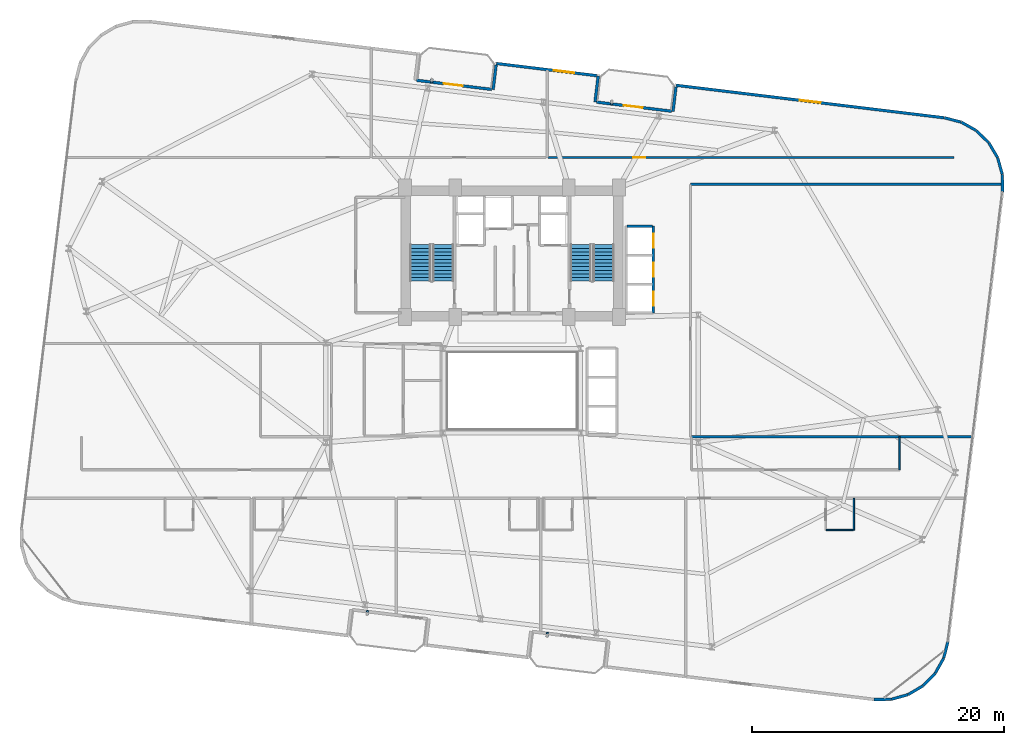
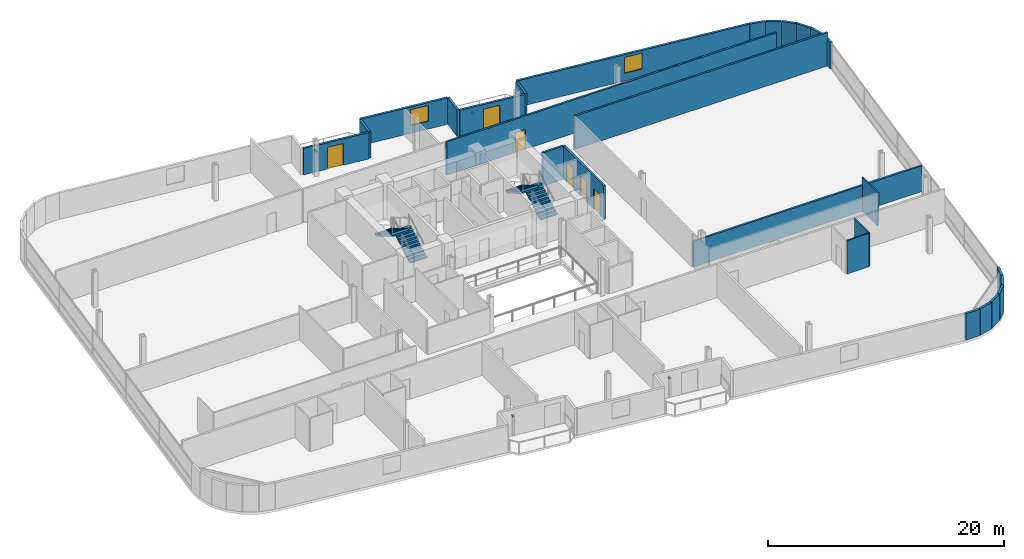
# One storey, part 23 of 25: 27 walls, 6 doors, 4 discrete accessories, 4 stair flights, 2 windows, 8 openings, 2 elements without a shape of their own.
"""IFC4 building model written with IfcOpenShell, lengths in metres."""

from ifc_helpers import new_model, si_unit, direction, frame, frame_2d, origin, origin_2d, place, context, subcontext, project, spatial, polyline, rectangle, outline, extrude, source, transform, mapped, material, layer, layer_set, type_object, element, fill, aggregate, save


model = new_model("IFC4")

# Units and contexts
model_context = context("Model", 3, precision=1e-05, world=origin(), true_north=direction((0.0, 1.0)))
body_context = subcontext(model_context, "Body", "Model", "MODEL_VIEW")
ifc_project = project(units=[si_unit("LENGTHUNIT", "METRE"), si_unit("AREAUNIT", "SQUARE_METRE"), si_unit("VOLUMEUNIT", "CUBIC_METRE"), si_unit("PLANEANGLEUNIT", "RADIAN"), si_unit("MASSUNIT", "GRAM", prefix="KILO")], contexts=[model_context])

# Site, building, storey
site_placement = place(None, origin())
site = spatial("IfcSite", under=ifc_project, at=site_placement, CompositionType="ELEMENT")
building_placement = place(site_placement, origin())
building = spatial("IfcBuilding", under=site, at=building_placement, Name="Varnelok Gate Tower", CompositionType="ELEMENT")
storey_placement = place(building_placement, frame((0.0, 0.0, 136.5)))
storey = spatial("IfcBuildingStorey", under=building, at=storey_placement, Name="L34", CompositionType="ELEMENT", Elevation=136.5)

# Wall, opening, door
ifc_material_1 = material(Name="Concrete C45/55", Category="concrete")
ifc_layer_1 = layer(ifc_material_1, 0.219970703125)
ifc_layer_set_1 = layer_set([ifc_layer_1], Name="Concrete C45/55")
wall_type_1 = type_object("IfcWallType", Name="EW-BALC-220", PredefinedType="SOLIDWALL", material=ifc_layer_set_1)
wall_1_placement = place(storey_placement, frame((31.624267578125, 47.5634765625, 0.0), z_axis=(0.0, 0.0, 1.0), x_axis=(0.992729951822, -0.120362962556, 0.0)))
wall_1 = element("IfcWall", 1, at=wall_1_placement, inside=storey, type_object=wall_type_1, Name="L34 North Terrace Envelope Wall 3", PredefinedType="SOLIDWALL", context=body_context, shape_type="SweptSolid", body=[
    extrude(rectangle(XDim=6.0, YDim=0.219970703125, at=frame_2d((3.0, 0.0))), origin(), (0.0, 0.0, 1.0), 2.72998046875),
])
opening_1_placement = place(wall_1_placement, frame((2.176025390625, 0.0, 0.0)))
opening_1 = element("IfcOpeningElement", 2, at=opening_1_placement, cuts=wall_1, Name="Opening BD-1", PredefinedType="OPENING", context=body_context, shape_type="SweptSolid", body=[
    extrude(rectangle(XDim=1.5, YDim=2.25, at=frame_2d((0.75, 1.125))), frame((0.0, 0.119873046875, 0.0), z_axis=(0.0, -1.0, 0.0), x_axis=(1.0, 0.0, 0.0)), (0.0, 0.0, 1.0), 0.239990234375),
])
ifc_material_2 = material(Name="Anodized Aluminum Alloy 6063-T6", Category="aluminium")
door_type_1 = type_object("IfcDoorType", Name="DR-EXT-BALC1500", OperationType="NOTDEFINED", PredefinedType="DOOR", material=ifc_material_2)
door_1_placement = place(opening_1_placement, origin())
door_1 = element("IfcDoor", 3, at=door_1_placement, inside=storey, type_object=door_type_1, Name="L34 North Balcony Glazed Door 3", OperationType="SINGLE_SWING_RIGHT", OverallHeight=2.25, OverallWidth=1.5, PredefinedType="DOOR", context=body_context, shape_type="SweptSolid", body=[
    extrude(rectangle(XDim=1.5, YDim=2.25, at=frame_2d((0.75, 1.125))), frame((0.0, 0.02490234375, 0.0), z_axis=(0.0, -1.0, 0.0), x_axis=(1.0, 0.0, 0.0)), (0.0, 0.0, 1.0), 0.050048828125),
])
fill(opening_1, door_1)

wall_2_placement = place(storey_placement, frame((45.919677734375, 45.83056640625, 0.0), z_axis=(0.0, 0.0, 1.0), x_axis=(0.992729951822, -0.120362962556, 0.0)))
wall_2 = element("IfcWall", 4, at=wall_2_placement, inside=storey, type_object=wall_type_1, Name="L34 North Terrace Envelope Wall 4", PredefinedType="SOLIDWALL", context=body_context, shape_type="SweptSolid", body=[
    extrude(rectangle(XDim=6.0, YDim=0.219970703125, at=frame_2d((3.0, 0.0))), origin(), (0.0, 0.0, 1.0), 2.72998046875),
])
opening_2_placement = place(wall_2_placement, frame((2.176025390625, 0.0, 0.0)))
opening_2 = element("IfcOpeningElement", 5, at=opening_2_placement, cuts=wall_2, Name="Opening BD-1", PredefinedType="OPENING", context=body_context, shape_type="SweptSolid", body=[
    extrude(rectangle(XDim=1.5, YDim=2.25, at=frame_2d((0.75, 1.125))), frame((0.0, 0.119873046875, 0.0), z_axis=(0.0, -1.0, 0.0), x_axis=(1.0, 0.0, 0.0)), (0.0, 0.0, 1.0), 0.239990234375),
])
door_2_placement = place(opening_2_placement, origin())
door_2 = element("IfcDoor", 6, at=door_2_placement, inside=storey, type_object=door_type_1, Name="L34 North Balcony Glazed Door 4", OperationType="SINGLE_SWING_LEFT", OverallHeight=2.25, OverallWidth=1.5, PredefinedType="DOOR", context=body_context, shape_type="SweptSolid", body=[
    extrude(rectangle(XDim=1.5, YDim=2.25, at=frame_2d((0.75, 1.125))), frame((0.0, 0.02490234375, 0.0), z_axis=(0.0, -1.0, 0.0), x_axis=(1.0, 0.0, 0.0)), (0.0, 0.0, 1.0), 0.050048828125),
])
fill(opening_2, door_2)

# Walls
wall_3_placement = place(storey_placement, frame((67.984375, -1.63671875, 0.0), z_axis=(0.0, 0.0, 1.0), x_axis=(0.999945887077, 0.010403024475, 0.0)))
element("IfcWall", 7, at=wall_3_placement, inside=storey, type_object=wall_type_1, Name="L34 Perimeter Facade Closure Wall 14", PredefinedType="SOLIDWALL", context=body_context, shape_type="SweptSolid", body=[
    extrude(rectangle(XDim=1.361083984375, YDim=0.219970703125, at=frame_2d((0.6806640625, 0.0))), origin(), (0.0, 0.0, 1.0), 2.72998046875),
])
wall_4_placement = place(storey_placement, frame((69.369384765625, -1.615966796875, 0.0), z_axis=(0.0, 0.0, 1.0), x_axis=(0.963194128812, 0.268806752562, 0.0)))
element("IfcWall", 8, at=wall_4_placement, inside=storey, type_object=wall_type_1, Name="L34 Perimeter Facade Closure Wall 15", PredefinedType="SOLIDWALL", context=body_context, shape_type="SweptSolid", body=[
    extrude(rectangle(XDim=1.353271484375, YDim=0.219970703125, at=frame_2d((0.6767578125, 0.0))), origin(), (0.0, 0.0, 1.0), 2.72998046875),
])
for number, where, z_axis, x_axis, name in (
    (9, (70.6943359375, -1.239501953125, 0.0), (0.0, 0.0, 1.0), (0.860865455241, 0.508832652228, 0.0), "L34 Perimeter Facade Closure Wall 16"),
    (10, (71.876708984375, -0.533203125, 0.0), (0.0, 0.0, 1.0), (0.69976104234, 0.714376989847, 0.0), "L34 Perimeter Facade Closure Wall 17"),
    (11, (72.835693359375, 0.455078125, 0.0), (0.0, 0.0, 1.0), (0.491117621399, 0.871093268227, 0.0), "L34 Perimeter Facade Closure Wall 18"),
):
    element("IfcWall", number, at=place(storey_placement, frame(where, z_axis=z_axis, x_axis=x_axis)), inside=storey, type_object=wall_type_1, Name=name, PredefinedType="SOLIDWALL", context=body_context, shape_type="SweptSolid", body=[
        extrude(rectangle(XDim=1.35302734375, YDim=0.219970703125, at=frame_2d((0.676513671875, 0.0))), origin(), (0.0, 0.0, 1.0), 2.72998046875),
    ])
wall_5_placement = place(storey_placement, frame((73.506591796875, 1.658203125, 0.0), z_axis=(0.0, 0.0, 1.0), x_axis=(0.248857256909, 0.968540172468, 0.0)))
element("IfcWall", 12, at=wall_5_placement, inside=storey, type_object=wall_type_1, Name="L34 Perimeter Facade Closure Wall 19", PredefinedType="SOLIDWALL", context=body_context, shape_type="SweptSolid", body=[
    extrude(rectangle(XDim=1.352783203125, YDim=0.219970703125, at=frame_2d((0.67626953125, 0.0))), origin(), (0.0, 0.0, 1.0), 2.72998046875),
])
wall_6_placement = place(storey_placement, frame((78.175537109375, 38.706787109375, 0.0), z_axis=(0.0, 0.0, 1.0), x_axis=(-0.010096916637, 0.999949024838, 0.0)))
element("IfcWall", 13, at=wall_6_placement, inside=storey, type_object=wall_type_1, Name="L34 Perimeter Facade Closure Wall 20", PredefinedType="SOLIDWALL", context=body_context, shape_type="SweptSolid", body=[
    extrude(rectangle(XDim=1.378173828125, YDim=0.219970703125, at=frame_2d((0.68896484375, 0.0))), origin(), (0.0, 0.0, 1.0), 2.72998046875),
])
wall_7_placement = place(storey_placement, frame((78.15478515625, 40.10888671875, 0.0), z_axis=(0.0, 0.0, 1.0), x_axis=(-0.268639368869, 0.963240826322, 0.0)))
element("IfcWall", 14, at=wall_7_placement, inside=storey, type_object=wall_type_1, Name="L34 Perimeter Facade Closure Wall 21", PredefinedType="SOLIDWALL", context=body_context, shape_type="SweptSolid", body=[
    extrude(rectangle(XDim=1.353271484375, YDim=0.219970703125, at=frame_2d((0.6767578125, 0.0))), origin(), (0.0, 0.0, 1.0), 2.72998046875),
])
for number, where, z_axis, x_axis, name in (
    (15, (77.7783203125, 41.433837890625, 0.0), (0.0, 0.0, 1.0), (-0.508698913794, 0.860944490142, 0.0), "L34 Perimeter Facade Closure Wall 22"),
    (16, (77.072265625, 42.6162109375, 0.0), (0.0, 0.0, 1.0), (-0.714376989847, 0.69976104234, 0.0), "L34 Perimeter Facade Closure Wall 23"),
    (17, (76.083740234375, 43.5751953125, 0.0), (0.0, 0.0, 1.0), (-0.871093268227, 0.491117621399, 0.0), "L34 Perimeter Facade Closure Wall 24"),
):
    element("IfcWall", number, at=place(storey_placement, frame(where, z_axis=z_axis, x_axis=x_axis)), inside=storey, type_object=wall_type_1, Name=name, PredefinedType="SOLIDWALL", context=body_context, shape_type="SweptSolid", body=[
        extrude(rectangle(XDim=1.35302734375, YDim=0.219970703125, at=frame_2d((0.676513671875, 0.0))), origin(), (0.0, 0.0, 1.0), 2.72998046875),
    ])
wall_8_placement = place(storey_placement, frame((74.880859375, 44.24609375, 0.0), z_axis=(0.0, 0.0, 1.0), x_axis=(-0.968549775063, 0.248819881091, 0.0)))
element("IfcWall", 18, at=wall_8_placement, inside=storey, type_object=wall_type_1, Name="L34 Perimeter Facade Closure Wall 25", PredefinedType="SOLIDWALL", context=body_context, shape_type="SweptSolid", body=[
    extrude(rectangle(XDim=1.36083984375, YDim=0.219970703125, at=frame_2d((0.680419921875, 0.0))), origin(), (0.0, 0.0, 1.0), 2.72998046875),
])

# Wall, opening, window
wall_9_placement = place(storey_placement, frame((73.537841796875, 44.587890625, 0.0), z_axis=(0.0, 0.0, 1.0), x_axis=(-0.992733493583, 0.120333747213, 0.0)))
wall_9 = element("IfcWall", 19, at=wall_9_placement, inside=storey, type_object=wall_type_1, Name="L34 Perimeter Facade Closure Wall 26", PredefinedType="SOLIDWALL", context=body_context, shape_type="SweptSolid", body=[
    extrude(rectangle(XDim=21.447021484375, YDim=0.219970703125, at=frame_2d((10.7236328125, 0.0))), origin(), (0.0, 0.0, 1.0), 2.72998046875),
])
opening_3_placement = place(wall_9_placement, frame((9.898681640625, 0.0, 0.800048828125)))
opening_3 = element("IfcOpeningElement", 20, at=opening_3_placement, cuts=wall_9, Name="Opening WN3", PredefinedType="OPENING", context=body_context, shape_type="SweptSolid", body=[
    extrude(rectangle(XDim=1.64990234375, YDim=1.64990234375, at=frame_2d((0.824951171875, 0.824951171875))), frame((0.0, 0.119873046875, 0.0), z_axis=(0.0, -1.0, 0.0), x_axis=(1.0, 0.0, 0.0)), (0.0, 0.0, 1.0), 0.239990234375),
])
ifc_material_3 = material(Name="Low-E Laminated Double Glazing IGU", Category="glass")
window_type = type_object("IfcWindowType", Name="WN-HTL-1650", PartitioningType="SINGLE_PANEL", PredefinedType="WINDOW", material=ifc_material_3)
window_1_placement = place(opening_3_placement, origin())
window_1 = element("IfcWindow", 21, at=window_1_placement, inside=storey, type_object=window_type, Name="L34 Perimeter Vision Window 26", OverallHeight=1.64990234375, OverallWidth=1.64990234375, PartitioningType="SINGLE_PANEL", PredefinedType="WINDOW", context=body_context, shape_type="SweptSolid", body=[
    extrude(rectangle(XDim=1.64990234375, YDim=1.64990234375, at=frame_2d((0.824951171875, 0.824951171875))), frame((0.0, 0.030029296875, 0.0), z_axis=(0.0, -1.0, 0.0), x_axis=(1.0, 0.0, 0.0)), (0.0, 0.0, 1.0), 0.06005859375),
])
fill(opening_3, window_1)

# Walls
wall_10_placement = place(storey_placement, frame((52.2314453125, 47.044677734375, 0.0), z_axis=(0.0, 0.0, 1.0), x_axis=(-0.120275992932, -0.992740492538, 0.0)))
element("IfcWall", 22, at=wall_10_placement, inside=storey, type_object=wall_type_1, Name="L34 Perimeter Facade Closure Wall 27", PredefinedType="SOLIDWALL", context=body_context, shape_type="SweptSolid", body=[
    extrude(rectangle(XDim=1.97509765625, YDim=0.219970703125, at=frame_2d((0.987548828125, 0.0))), origin(), (0.0, 0.0, 1.0), 2.72998046875),
])
wall_11_placement = place(storey_placement, frame((45.79931640625, 45.8349609375, 0.0), z_axis=(0.0, 0.0, 1.0), x_axis=(0.120314009587, 0.992735885871, 0.0)))
element("IfcWall", 23, at=wall_11_placement, inside=storey, type_object=wall_type_1, Name="L34 Perimeter Facade Closure Wall 28", PredefinedType="SOLIDWALL", context=body_context, shape_type="SweptSolid", body=[
    extrude(rectangle(XDim=2.10009765625, YDim=0.219970703125, at=frame_2d((1.050048828125, 0.0))), origin(), (0.0, 0.0, 1.0), 2.72998046875),
])

# Wall, opening, window
wall_12_placement = place(storey_placement, frame((45.927734375, 47.934814453125, 0.0), z_axis=(0.0, 0.0, 1.0), x_axis=(-0.992730591876, 0.120357683402, 0.0)))
wall_12 = element("IfcWall", 24, at=wall_12_placement, inside=storey, type_object=wall_type_1, Name="L34 Perimeter Facade Closure Wall 29", PredefinedType="SOLIDWALL", context=body_context, shape_type="SweptSolid", body=[
    extrude(rectangle(XDim=8.03466796875, YDim=0.219970703125, at=frame_2d((4.017333984375, 0.0))), origin(), (0.0, 0.0, 1.0), 2.72998046875),
])
opening_4_placement = place(wall_12_placement, frame((1.787841796875, 0.0, 0.800048828125)))
opening_4 = element("IfcOpeningElement", 25, at=opening_4_placement, cuts=wall_12, Name="Opening WN3", PredefinedType="OPENING", context=body_context, shape_type="SweptSolid", body=[
    extrude(rectangle(XDim=1.64990234375, YDim=1.64990234375, at=frame_2d((0.824951171875, 0.824951171875))), frame((0.0, 0.119873046875, 0.0), z_axis=(0.0, -1.0, 0.0), x_axis=(1.0, 0.0, 0.0)), (0.0, 0.0, 1.0), 0.239990234375),
])
window_2_placement = place(opening_4_placement, origin())
window_2 = element("IfcWindow", 26, at=window_2_placement, inside=storey, type_object=window_type, Name="L34 Perimeter Vision Window 29", OverallHeight=1.64990234375, OverallWidth=1.64990234375, PartitioningType="SINGLE_PANEL", PredefinedType="WINDOW", context=body_context, shape_type="SweptSolid", body=[
    extrude(rectangle(XDim=1.64990234375, YDim=1.64990234375, at=frame_2d((0.824951171875, 0.824951171875))), frame((0.0, 0.030029296875, 0.0), z_axis=(0.0, -1.0, 0.0), x_axis=(1.0, 0.0, 0.0)), (0.0, 0.0, 1.0), 0.06005859375),
])
fill(opening_4, window_2)

# Wall
wall_13_placement = place(storey_placement, frame((37.936279296875, 48.777587890625, 0.0), z_axis=(0.0, 0.0, 1.0), x_axis=(-0.120397815541, -0.992725725472, 0.0)))
element("IfcWall", 27, at=wall_13_placement, inside=storey, type_object=wall_type_1, Name="L34 Perimeter Facade Closure Wall 30", PredefinedType="SOLIDWALL", context=body_context, shape_type="SweptSolid", body=[
    extrude(rectangle(XDim=1.97509765625, YDim=0.219970703125, at=frame_2d((0.987548828125, 0.0))), origin(), (0.0, 0.0, 1.0), 2.72998046875),
])

# Wall, opening, door
ifc_material_4 = material(Name="Gypsum Plasterboard Acoustic Partition", Category="gypsum")
ifc_layer_2 = layer(ifc_material_4, 0.179931640625)
ifc_layer_set_2 = layer_set([ifc_layer_2], Name="Gypsum Plasterboard Acoustic Partition")
wall_type_2 = type_object("IfcWallType", Name="PW-CORR-180", PredefinedType="PARTITIONING", material=ifc_layer_set_2)
wall_14_placement = place(storey_placement, frame((42.080078125, 41.429931640625, 0.0), z_axis=(0.0, 0.0, 1.0), x_axis=(1.0, 0.0, 0.0)))
wall_14 = element("IfcWall", 28, at=wall_14_placement, inside=storey, type_object=wall_type_2, Name="Interior Partition", PredefinedType="PARTITIONING", context=body_context, shape_type="SweptSolid", body=[
    extrude(rectangle(XDim=32.239990234375, YDim=0.179931640625, at=frame_2d((16.1201171875, 0.0))), origin(), (0.0, 0.0, 1.0), 3.449951171875),
])
opening_5_placement = place(wall_14_placement, frame((6.7451171875, 0.0, 0.0)))
opening_5 = element("IfcOpeningElement", 29, at=opening_5_placement, cuts=wall_14, Name="Opening D-I2", PredefinedType="OPENING", context=body_context, shape_type="SweptSolid", body=[
    extrude(rectangle(XDim=0.949951171875, YDim=2.050048828125, at=frame_2d((0.47509765625, 1.02490234375))), frame((0.0, 0.099853515625, 0.0), z_axis=(0.0, -1.0, 0.0), x_axis=(1.0, 0.0, 0.0)), (0.0, 0.0, 1.0), 0.199951171875),
])
ifc_material_5 = material(Name="Engineered Hardwood Timber", Category="wood")
door_type_2 = type_object("IfcDoorType", Name="DR-INT-950", OperationType="NOTDEFINED", PredefinedType="DOOR", material=ifc_material_5)
door_3_placement = place(opening_5_placement, origin())
door_3 = element("IfcDoor", 30, at=door_3_placement, inside=storey, type_object=door_type_2, Name="L34 Hotel Business Center Door", OperationType="SINGLE_SWING_LEFT", OverallHeight=2.050048828125, OverallWidth=0.949951171875, PredefinedType="DOOR", context=body_context, shape_type="SweptSolid", body=[
    extrude(rectangle(XDim=0.949951171875, YDim=2.050048828125, at=frame_2d((0.47509765625, 1.02490234375))), frame((0.0, 0.02490234375, 0.0), z_axis=(0.0, -1.0, 0.0), x_axis=(1.0, 0.0, 0.0)), (0.0, 0.0, 1.0), 0.050048828125),
])
fill(opening_5, door_3)

# Walls
wall_15_placement = place(storey_placement, frame((53.389892578125, 19.239990234375, 0.0), z_axis=(0.0, 0.0, 1.0), x_axis=(1.0, 0.0, 0.0)))
element("IfcWall", 31, at=wall_15_placement, inside=storey, type_object=wall_type_2, Name="Interior Partition", PredefinedType="PARTITIONING", context=body_context, shape_type="SweptSolid", body=[
    extrude(rectangle(XDim=22.36669921875, YDim=0.179931640625, at=frame_2d((11.183349609375, 0.0))), origin(), (0.0, 0.0, 1.0), 2.662109375),
])
wall_16_placement = place(storey_placement, frame((53.389892578125, 39.300048828125, 0.0), z_axis=(0.0, 0.0, 1.0), x_axis=(1.0, 0.0, 0.0)))
element("IfcWall", 32, at=wall_16_placement, inside=storey, type_object=wall_type_2, Name="Interior Partition", PredefinedType="PARTITIONING", context=body_context, shape_type="SweptSolid", body=[
    extrude(rectangle(XDim=24.73974609375, YDim=0.179931640625, at=frame_2d((12.369873046875, 0.0))), origin(), (0.0, 0.0, 1.0), 3.449951171875),
])
ifc_layer_3 = layer(ifc_material_4, 0.114990234375)
ifc_layer_set_3 = layer_set([ifc_layer_3], Name="Gypsum Plasterboard Acoustic Partition")
wall_type_3 = type_object("IfcWallType", Name="PW-ENS-125", PredefinedType="PARTITIONING", material=ifc_layer_set_3)
wall_17_placement = place(storey_placement, frame((64.169921875, 11.830078125, 0.0), z_axis=(0.0, 0.0, 1.0), x_axis=(1.0, 0.0, 0.0)))
element("IfcWall", 33, at=wall_17_placement, inside=storey, type_object=wall_type_3, Name="Interior Partition", PredefinedType="PARTITIONING", context=body_context, shape_type="SweptSolid", body=[
    extrude(rectangle(XDim=2.150146484375, YDim=0.114990234375, at=frame_2d((1.0751953125, 0.0))), origin(), (0.0, 0.0, 1.0), 3.449951171875),
])
wall_18_placement = place(storey_placement, frame((66.360107421875, 11.830078125, 0.0), z_axis=(0.0, 0.0, 1.0), x_axis=(0.0, 1.0, 0.0)))
element("IfcWall", 34, at=wall_18_placement, inside=storey, type_object=wall_type_3, Name="Interior Partition", PredefinedType="PARTITIONING", context=body_context, shape_type="SweptSolid", body=[
    extrude(rectangle(XDim=2.52001953125, YDim=0.114990234375, at=frame_2d((1.260009765625, 0.0))), origin(), (0.0, 0.0, 1.0), 3.449951171875),
])
ifc_layer_4 = layer(ifc_material_4, 0.125)
ifc_layer_set_4 = layer_set([ifc_layer_4], Name="Gypsum Plasterboard Acoustic Partition")
wall_type_4 = type_object("IfcWallType", Name="PW-PART-125", PredefinedType="PARTITIONING", material=ifc_layer_set_4)
wall_19_placement = place(storey_placement, frame((70.0, 16.610107421875, 0.0), z_axis=(0.0, 0.0, 1.0), x_axis=(0.0, 1.0, 0.0)))
element("IfcWall", 35, at=wall_19_placement, inside=storey, type_object=wall_type_4, Name="Interior Partition", PredefinedType="PARTITIONING", context=body_context, shape_type="SweptSolid", body=[
    extrude(rectangle(XDim=2.6298828125, YDim=0.125, at=frame_2d((1.31494140625, 0.0))), origin(), (0.0, 0.0, 1.0), 3.449951171875),
])
ifc_material_6 = material(Name="Concrete C35/45", Category="concrete")
ifc_layer_5 = layer(ifc_material_6, 0.199951171875)
ifc_layer_set_5 = layer_set([ifc_layer_5], Name="Concrete C35/45")
wall_type_5 = type_object("IfcWallType", Name="PW-SHAFT-200", PredefinedType="PARTITIONING", material=ifc_layer_set_5)
wall_20_placement = place(storey_placement, frame((48.320068359375, 35.969970703125, 0.0), z_axis=(0.0, 0.0, 1.0), x_axis=(1.0, 0.0, 0.0)))
element("IfcWall", 36, at=wall_20_placement, inside=storey, type_object=wall_type_5, Name="L34 PM Bank North Wall", PredefinedType="PARTITIONING", context=body_context, shape_type="SweptSolid", body=[
    extrude(rectangle(XDim=2.059814453125, YDim=0.199951171875, at=frame_2d((1.02978515625, 0.0))), origin(), (0.0, 0.0, 1.0), 3.449951171875),
])

# Wall, openings, doors
wall_21_placement = place(storey_placement, frame((50.43994140625, 29.080078125, 0.0), z_axis=(0.0, 0.0, 1.0), x_axis=(0.0, 1.0, 0.0)))
wall_21 = element("IfcWall", 37, at=wall_21_placement, inside=storey, type_object=wall_type_5, Name="L34 PM Bank Front Wall", PredefinedType="PARTITIONING", context=body_context, shape_type="SweptSolid", body=[
    extrude(rectangle(XDim=6.889892578125, YDim=0.199951171875, at=frame_2d((3.44482421875, 0.0))), origin(), (0.0, 0.0, 1.0), 3.449951171875),
])
opening_6_placement = place(wall_21_placement, frame((0.590087890625, 0.0, 0.0)))
opening_6 = element("IfcOpeningElement", 38, at=opening_6_placement, cuts=wall_21, Name="Opening LD-PM1", PredefinedType="OPENING", context=body_context, shape_type="SweptSolid", body=[
    extrude(rectangle(XDim=1.10009765625, YDim=2.14990234375, at=frame_2d((0.550048828125, 1.074951171875))), frame((0.0, 0.10986328125, 0.0), z_axis=(0.0, -1.0, 0.0), x_axis=(1.0, 0.0, 0.0)), (0.0, 0.0, 1.0), 0.219970703125),
])
opening_7_placement = place(wall_21_placement, frame((2.889892578125, 0.0, 0.0)))
opening_7 = element("IfcOpeningElement", 39, at=opening_7_placement, cuts=wall_21, Name="Opening LD-PM2", PredefinedType="OPENING", context=body_context, shape_type="SweptSolid", body=[
    extrude(rectangle(XDim=1.10009765625, YDim=2.14990234375, at=frame_2d((0.550048828125, 1.074951171875))), frame((0.0, 0.10986328125, 0.0), z_axis=(0.0, -1.0, 0.0), x_axis=(1.0, 0.0, 0.0)), (0.0, 0.0, 1.0), 0.219970703125),
])
opening_8_placement = place(wall_21_placement, frame((5.18994140625, 0.0, 0.0)))
opening_8 = element("IfcOpeningElement", 40, at=opening_8_placement, cuts=wall_21, Name="Opening LD-PM3", PredefinedType="OPENING", context=body_context, shape_type="SweptSolid", body=[
    extrude(rectangle(XDim=1.10009765625, YDim=2.14990234375, at=frame_2d((0.550048828125, 1.074951171875))), frame((0.0, 0.10986328125, 0.0), z_axis=(0.0, -1.0, 0.0), x_axis=(1.0, 0.0, 0.0)), (0.0, 0.0, 1.0), 0.219970703125),
])
ifc_material_7 = material(Name="Galvanized Steel Grade S350GD", Category="steel")
door_type_3 = type_object("IfcDoorType", Name="DR-LIFT-PAX1100", OperationType="SLIDING_TO_LEFT", PredefinedType="DOOR", material=ifc_material_7)
door_4_placement = place(opening_6_placement, origin())
door_4 = element("IfcDoor", 41, at=door_4_placement, inside=storey, type_object=door_type_3, Name="L34 Passenger Lift Landing Door LD-PM1", OperationType="SLIDING_TO_LEFT", OverallHeight=2.14990234375, OverallWidth=1.10009765625, PredefinedType="DOOR", context=body_context, shape_type="SweptSolid", body=[
    extrude(rectangle(XDim=1.10009765625, YDim=2.14990234375, at=frame_2d((0.550048828125, 1.074951171875))), frame((0.0, 0.02490234375, 0.0), z_axis=(0.0, -1.0, 0.0), x_axis=(1.0, 0.0, 0.0)), (0.0, 0.0, 1.0), 0.050048828125),
])
fill(opening_6, door_4)
door_5_placement = place(opening_7_placement, origin())
door_5 = element("IfcDoor", 42, at=door_5_placement, inside=storey, type_object=door_type_3, Name="L34 Passenger Lift Landing Door LD-PM2", OperationType="SLIDING_TO_LEFT", OverallHeight=2.14990234375, OverallWidth=1.10009765625, PredefinedType="DOOR", context=body_context, shape_type="SweptSolid", body=[
    extrude(rectangle(XDim=1.10009765625, YDim=2.14990234375, at=frame_2d((0.550048828125, 1.074951171875))), frame((0.0, 0.02490234375, 0.0), z_axis=(0.0, -1.0, 0.0), x_axis=(1.0, 0.0, 0.0)), (0.0, 0.0, 1.0), 0.050048828125),
])
fill(opening_7, door_5)
door_6_placement = place(opening_8_placement, origin())
door_6 = element("IfcDoor", 43, at=door_6_placement, inside=storey, type_object=door_type_3, Name="L34 Passenger Lift Landing Door LD-PM3", OperationType="SLIDING_TO_LEFT", OverallHeight=2.14990234375, OverallWidth=1.10009765625, PredefinedType="DOOR", context=body_context, shape_type="SweptSolid", body=[
    extrude(rectangle(XDim=1.10009765625, YDim=2.14990234375, at=frame_2d((0.550048828125, 1.074951171875))), frame((0.0, 0.02490234375, 0.0), z_axis=(0.0, -1.0, 0.0), x_axis=(1.0, 0.0, 0.0)), (0.0, 0.0, 1.0), 0.050048828125),
])
fill(opening_8, door_6)

# Stair, stair flights
ifc_material_8 = material(Name="Concrete C50/60", Category="concrete")
stair_type = type_object("IfcStairType", Name="STR-CORE-1650", PredefinedType="HALF_TURN_STAIR", material=ifc_material_8)
stair_1_placement = place(storey_placement, origin())
stair_1 = element("IfcStair", 44, at=stair_1_placement, inside=storey, type_object=stair_type, Name="L34 Exit Stair ST-1", PredefinedType="HALF_TURN_STAIR")
stair_flight_type = type_object("IfcStairFlightType", Name="SFL-CORE-1650", PredefinedType="STRAIGHT", material=ifc_material_8)
stair_flight_1_placement = place(storey_placement, frame((33.72509765625, 31.60009765625, 0.0), z_axis=(0.0, 0.0, 1.0), x_axis=(0.0, 1.0, 0.0)))
stair_flight_1 = element("IfcStairFlight", 45, at=stair_flight_1_placement, type_object=stair_flight_type, Name="ST-1 flight 1", NumberOfRisers=11, NumberOfTreads=10, PredefinedType="STRAIGHT", RiserHeight=0.168181818, TreadLength=0.29, context=body_context, shape_type="SweptSolid", body=[
    extrude(outline(polyline([(0.0, 0.0), (0.0, 0.168212890625), (0.2900390625, 0.168212890625), (0.2900390625, 0.33642578125), (0.580078125, 0.33642578125), (0.580078125, 0.504638671875), (0.8701171875, 0.504638671875), (0.8701171875, 0.672607421875), (1.159912109375, 0.672607421875), (1.159912109375, 0.8408203125), (1.449951171875, 0.8408203125), (1.449951171875, 1.009033203125), (1.739990234375, 1.009033203125), (1.739990234375, 1.17724609375), (2.030029296875, 1.17724609375), (2.030029296875, 1.345458984375), (2.320068359375, 1.345458984375), (2.320068359375, 1.513671875), (2.610107421875, 1.513671875), (2.610107421875, 1.681884765625), (2.89990234375, 1.681884765625), (2.89990234375, 1.85009765625), (2.89990234375, 1.508544921875), (0.298828125, 0.0), (0.0, 0.0)])), frame((0.0, 0.824951171875, 0.0), z_axis=(0.0, -1.0, 0.0), x_axis=(1.0, 0.0, 0.0)), (0.0, 0.0, 1.0), 1.64990234375),
])
stair_flight_2_placement = place(storey_placement, frame((31.925048828125, 34.5, 1.85009765625), z_axis=(0.0, 0.0, 1.0), x_axis=(0.0, -1.0, 0.0)))
stair_flight_2 = element("IfcStairFlight", 46, at=stair_flight_2_placement, type_object=stair_flight_type, Name="ST-1 flight 2", NumberOfRisers=11, NumberOfTreads=10, PredefinedType="STRAIGHT", RiserHeight=0.168181818, TreadLength=0.29, context=body_context, shape_type="SweptSolid", body=[
    extrude(outline(polyline([(0.0, 0.0), (0.0, 0.168212890625), (0.2900390625, 0.168212890625), (0.2900390625, 0.33642578125), (0.580078125, 0.33642578125), (0.580078125, 0.504638671875), (0.8701171875, 0.504638671875), (0.8701171875, 0.672607421875), (1.159912109375, 0.672607421875), (1.159912109375, 0.8408203125), (1.449951171875, 0.8408203125), (1.449951171875, 1.009033203125), (1.739990234375, 1.009033203125), (1.739990234375, 1.17724609375), (2.030029296875, 1.17724609375), (2.030029296875, 1.345458984375), (2.320068359375, 1.345458984375), (2.320068359375, 1.513671875), (2.610107421875, 1.513671875), (2.610107421875, 1.681884765625), (2.89990234375, 1.681884765625), (2.89990234375, 1.85009765625), (2.89990234375, 1.508544921875), (0.298828125, 0.0), (0.0, 0.0)])), frame((0.0, 0.824951171875, 0.0), z_axis=(0.0, -1.0, 0.0), x_axis=(1.0, 0.0, 0.0)), (0.0, 0.0, 1.0), 1.64990234375),
])
aggregate(stair_1, [stair_flight_1, stair_flight_2])

stair_2_placement = place(storey_placement, origin())
stair_2 = element("IfcStair", 47, at=stair_2_placement, inside=storey, type_object=stair_type, Name="L34 Exit Stair ST-2", PredefinedType="HALF_TURN_STAIR")
stair_flight_3_placement = place(storey_placement, frame((46.47509765625, 31.60009765625, 0.0), z_axis=(0.0, 0.0, 1.0), x_axis=(0.0, 1.0, 0.0)))
stair_flight_3 = element("IfcStairFlight", 48, at=stair_flight_3_placement, type_object=stair_flight_type, Name="ST-2 flight 1", NumberOfRisers=11, NumberOfTreads=10, PredefinedType="STRAIGHT", RiserHeight=0.168181818, TreadLength=0.29, context=body_context, shape_type="SweptSolid", body=[
    extrude(outline(polyline([(0.0, 0.0), (0.0, 0.168212890625), (0.2900390625, 0.168212890625), (0.2900390625, 0.33642578125), (0.580078125, 0.33642578125), (0.580078125, 0.504638671875), (0.8701171875, 0.504638671875), (0.8701171875, 0.672607421875), (1.159912109375, 0.672607421875), (1.159912109375, 0.8408203125), (1.449951171875, 0.8408203125), (1.449951171875, 1.009033203125), (1.739990234375, 1.009033203125), (1.739990234375, 1.17724609375), (2.030029296875, 1.17724609375), (2.030029296875, 1.345458984375), (2.320068359375, 1.345458984375), (2.320068359375, 1.513671875), (2.610107421875, 1.513671875), (2.610107421875, 1.681884765625), (2.89990234375, 1.681884765625), (2.89990234375, 1.85009765625), (2.89990234375, 1.508544921875), (0.298828125, 0.0), (0.0, 0.0)])), frame((0.0, 0.824951171875, 0.0), z_axis=(0.0, -1.0, 0.0), x_axis=(1.0, 0.0, 0.0)), (0.0, 0.0, 1.0), 1.64990234375),
])
stair_flight_4_placement = place(storey_placement, frame((44.675048828125, 34.5, 1.85009765625), z_axis=(0.0, 0.0, 1.0), x_axis=(0.0, -1.0, 0.0)))
stair_flight_4 = element("IfcStairFlight", 49, at=stair_flight_4_placement, type_object=stair_flight_type, Name="ST-2 flight 2", NumberOfRisers=11, NumberOfTreads=10, PredefinedType="STRAIGHT", RiserHeight=0.168181818, TreadLength=0.29, context=body_context, shape_type="SweptSolid", body=[
    extrude(outline(polyline([(0.0, 0.0), (0.0, 0.168212890625), (0.2900390625, 0.168212890625), (0.2900390625, 0.33642578125), (0.580078125, 0.33642578125), (0.580078125, 0.504638671875), (0.8701171875, 0.504638671875), (0.8701171875, 0.672607421875), (1.159912109375, 0.672607421875), (1.159912109375, 0.8408203125), (1.449951171875, 0.8408203125), (1.449951171875, 1.009033203125), (1.739990234375, 1.009033203125), (1.739990234375, 1.17724609375), (2.030029296875, 1.17724609375), (2.030029296875, 1.345458984375), (2.320068359375, 1.345458984375), (2.320068359375, 1.513671875), (2.610107421875, 1.513671875), (2.610107421875, 1.681884765625), (2.89990234375, 1.681884765625), (2.89990234375, 1.85009765625), (2.89990234375, 1.508544921875), (0.298828125, 0.0), (0.0, 0.0)])), frame((0.0, 0.824951171875, 0.0), z_axis=(0.0, -1.0, 0.0), x_axis=(1.0, 0.0, 0.0)), (0.0, 0.0, 1.0), 1.64990234375),
])
aggregate(stair_2, [stair_flight_3, stair_flight_4])

# Discrete accessories
ifc_material_9 = material(Name="Structural Steel ASTM A500 Grade C", Category="steel")
discrete_accessory_type = type_object("IfcDiscreteAccessoryType", Name="ACC-BAGUETTE-BRK", PredefinedType="BRACKET", material=ifc_material_9)
shared_shape = source(origin(), body_context, "Body", "SweptSolid", [
    extrude(rectangle(XDim=0.159912109375, YDim=0.340087890625, at=origin_2d()), origin(), (0.0, 0.0, 1.0), 0.139892578125),
])
for number, where, z_axis, x_axis, name in (
    (50, (27.705810546875, 5.267578125, 1.97998046875), (0.0, 0.0, 1.0), (0.992732158755, -0.12034475881, 0.0), "L34 Terracotta Baguette Bracket 1.1"),
    (51, (42.0009765625, 3.53466796875, 1.97998046875), (0.0, 0.0, 1.0), (0.992732158755, -0.12034475881, 0.0), "L34 Terracotta Baguette Bracket 2.1"),
    (52, (32.8251953125, 47.49853515625, 1.97998046875), (0.0, 0.0, 1.0), (0.992732158755, -0.12034475881, 0.0), "L34 Terracotta Baguette Bracket 3.1"),
    (53, (47.12060546875, 45.765625, 1.97998046875), (0.0, 0.0, 1.0), (0.992732158755, -0.12034475881, 0.0), "L34 Terracotta Baguette Bracket 4.1"),
):
    element("IfcDiscreteAccessory", number, at=place(storey_placement, frame(where, z_axis=z_axis, x_axis=x_axis)), inside=storey, type_object=discrete_accessory_type, Name=name, PredefinedType="BRACKET", context=body_context, shape_type="MappedRepresentation", body=[
        mapped(shared_shape, transform((0.0, 0.0, 0.0), scale=1.0)),
    ])

save(model, "model.ifc")
